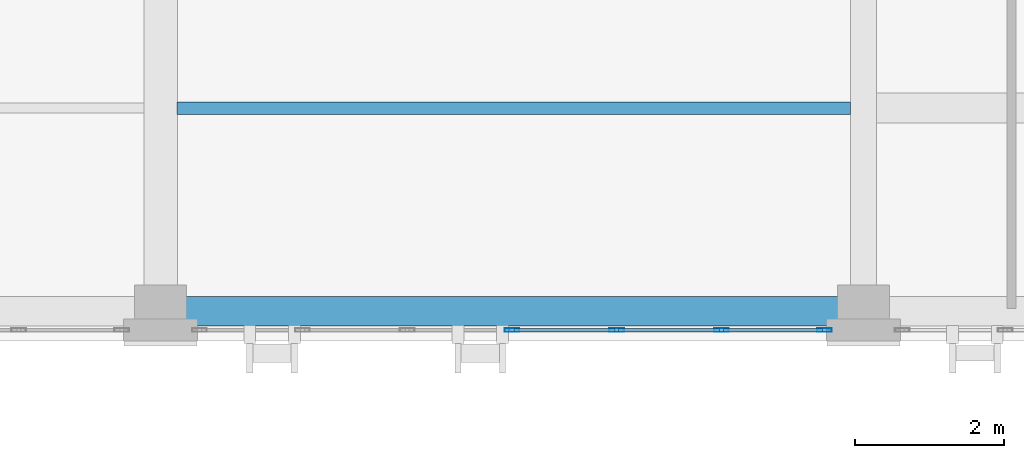
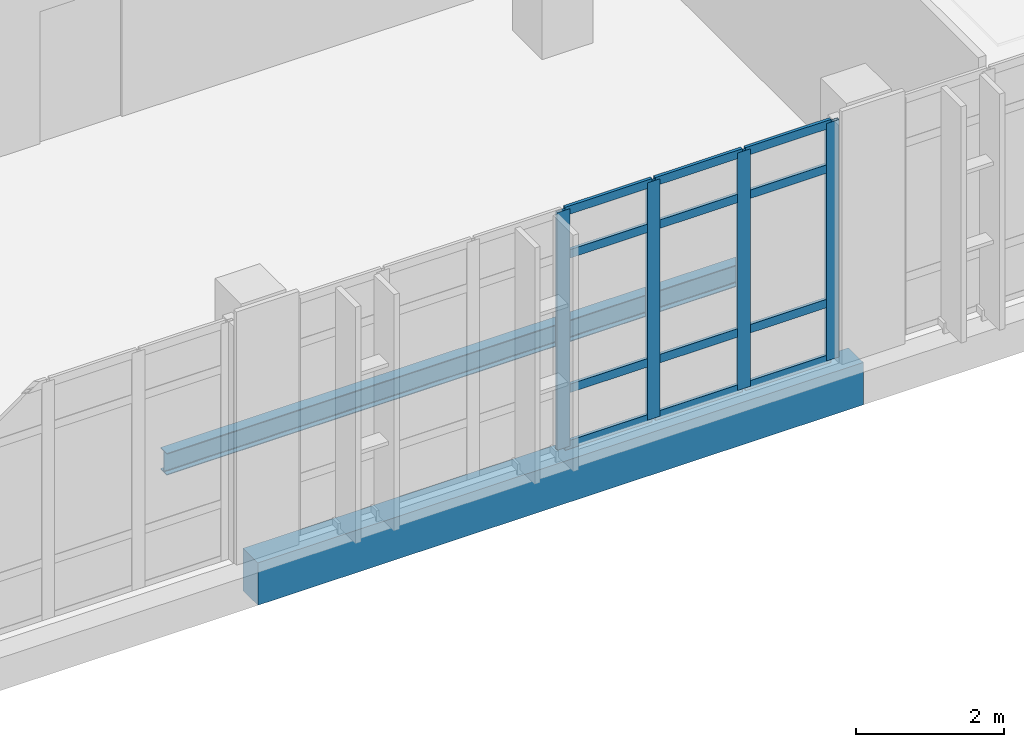
# One storey, part 36 of 165: 16 members, 2 beams, 1 element without a shape of its own.
"""IFC4 building model written with IfcOpenShell, lengths in metres."""

from ifc_helpers import new_model, si_unit, direction, frame, origin, origin_2d, place, context, subcontext, project, spatial, rectangle, hollow_rectangle, i_section, extrude, material, layer, layer_set, material_profile, profile_set, type_object, element, aggregate, save


model = new_model("IFC4")

# Units and contexts
model_context = context("Model", 3, precision=1e-05, world=origin(), true_north=direction((0.0, 1.0)))
body_context = subcontext(model_context, "Body", "Model", "MODEL_VIEW")
ifc_project = project(units=[si_unit("LENGTHUNIT", "METRE"), si_unit("AREAUNIT", "SQUARE_METRE"), si_unit("VOLUMEUNIT", "CUBIC_METRE"), si_unit("PLANEANGLEUNIT", "RADIAN"), si_unit("MASSUNIT", "GRAM", prefix="KILO")], contexts=[model_context])

# Site, building, storey
site_placement = place(None, origin())
site = spatial("IfcSite", under=ifc_project, at=site_placement, CompositionType="ELEMENT")
building_placement = place(site_placement, origin())
building = spatial("IfcBuilding", under=site, at=building_placement, Name="Qalavern Law Courts", CompositionType="ELEMENT")
storey_placement = place(building_placement, frame((0.0, 0.0, 14.39990234375)))
storey = spatial("IfcBuildingStorey", under=building, at=storey_placement, Name="L03", CompositionType="ELEMENT", Elevation=14.39990234375)

# Curtain wall, members
ifc_material_1 = material(Name="Anodised aluminium and insulated glazing", Category="aluminium")
ifc_layer = layer(ifc_material_1, 0.18505859375)
ifc_layer_set = layer_set([ifc_layer], Name="Anodised aluminium and insulated glazing")
curtain_wall_type = type_object("IfcCurtainWallType", Name="ENV-CW-HALL", PredefinedType="USERDEFINED", material=ifc_layer_set)
curtain_wall_placement = place(storey_placement, origin())
curtain_wall = element("IfcCurtainWall", 1, at=curtain_wall_placement, inside=storey, type_object=curtain_wall_type, Name="V2 unitised curtain wall L03 south 4", ObjectType="UNITISED CURTAIN WALL", PredefinedType="USERDEFINED")
ifc_material_2 = material(Name="Anodised aluminium", Category="aluminium")
ifc_material_profile_1 = material_profile(ifc_material_2, hollow_rectangle(XDim=0.048095703125, YDim=0.199951171875, WallThickness=0.00439453125, at=origin_2d()), Name="ALU MULLION 48x200")
ifc_profile_set_1 = profile_set([ifc_material_profile_1], Name="Anodised aluminium")
member_type_1 = type_object("IfcMemberType", Name="ENV-CWM-48x200", PredefinedType="MULLION", material=ifc_profile_set_1)
member_1_placement = place(storey_placement, frame((77.164306640625, 5.347412109375, 0.0), z_axis=(0.0, 0.0, 1.0), x_axis=(0.0, 1.0, 0.0)))
member_1 = element("IfcMember", 2, at=member_1_placement, type_object=member_type_1, Name="CW-02 mullion 4", PredefinedType="MULLION", context=body_context, shape_type="SweptSolid", body=[
    extrude(hollow_rectangle(XDim=0.048095703125, YDim=0.199951171875, WallThickness=0.00439453125, at=origin_2d()), origin(), (0.0, 0.0, 1.0), 3.920166015625),
])
member_2_placement = place(storey_placement, frame((78.5732421875, 5.347412109375, 0.0), z_axis=(0.0, 0.0, 1.0), x_axis=(0.0, 1.0, 0.0)))
member_2 = element("IfcMember", 3, at=member_2_placement, type_object=member_type_1, Name="CW-02 mullion 5", PredefinedType="MULLION", context=body_context, shape_type="SweptSolid", body=[
    extrude(hollow_rectangle(XDim=0.048095703125, YDim=0.199951171875, WallThickness=0.00439453125, at=origin_2d()), origin(), (0.0, 0.0, 1.0), 3.920166015625),
])
member_3_placement = place(storey_placement, frame((79.982421875, 5.347412109375, 0.0), z_axis=(0.0, 0.0, 1.0), x_axis=(0.0, 1.0, 0.0)))
member_3 = element("IfcMember", 4, at=member_3_placement, type_object=member_type_1, Name="CW-02 mullion 6", PredefinedType="MULLION", context=body_context, shape_type="SweptSolid", body=[
    extrude(hollow_rectangle(XDim=0.048095703125, YDim=0.199951171875, WallThickness=0.00439453125, at=origin_2d()), origin(), (0.0, 0.0, 1.0), 3.920166015625),
])
member_4_placement = place(storey_placement, frame((81.367431640625, 5.347412109375, 0.0), z_axis=(0.0, 0.0, 1.0), x_axis=(0.0, 1.0, 0.0)))
member_4 = element("IfcMember", 5, at=member_4_placement, type_object=member_type_1, Name="CW-02 mullion 7", PredefinedType="MULLION", context=body_context, shape_type="SweptSolid", body=[
    extrude(hollow_rectangle(XDim=0.048095703125, YDim=0.199951171875, WallThickness=0.00439453125, at=origin_2d()), origin(), (0.0, 0.0, 1.0), 3.920166015625),
])
ifc_material_profile_2 = material_profile(ifc_material_2, hollow_rectangle(XDim=0.048095703125, YDim=0.139892578125, WallThickness=0.00390625, at=origin_2d()), Name="ALU TRANSOM 48x140")
ifc_profile_set_2 = profile_set([ifc_material_profile_2], Name="Anodised aluminium")
member_type_2 = type_object("IfcMemberType", Name="ENV-CWT-48x140", PredefinedType="USERDEFINED", material=ifc_profile_set_2)
member_5_placement = place(storey_placement, frame((77.188232421875, 5.347412109375, 0.024169921875), z_axis=(1.0, 0.0, 0.0), x_axis=(0.0, 1.0, 0.0)))
member_5 = element("IfcMember", 6, at=member_5_placement, type_object=member_type_2, Name="CW-02 transom 4.1", ObjectType="TRANSOM", PredefinedType="USERDEFINED", context=body_context, shape_type="SweptSolid", body=[
    extrude(hollow_rectangle(XDim=0.048095703125, YDim=0.139892578125, WallThickness=0.00390625, at=origin_2d()), origin(), (0.0, 0.0, 1.0), 1.361083984375),
])
member_6_placement = place(storey_placement, frame((77.188232421875, 5.347412109375, 0.9501953125), z_axis=(1.0, 0.0, 0.0), x_axis=(0.0, 1.0, 0.0)))
member_6 = element("IfcMember", 7, at=member_6_placement, type_object=member_type_2, Name="CW-02 transom 4.2", ObjectType="TRANSOM", PredefinedType="USERDEFINED", context=body_context, shape_type="SweptSolid", body=[
    extrude(hollow_rectangle(XDim=0.048095703125, YDim=0.139892578125, WallThickness=0.00390625, at=origin_2d()), origin(), (0.0, 0.0, 1.0), 1.361083984375),
])
member_7_placement = place(storey_placement, frame((77.188232421875, 5.347412109375, 3.170166015625), z_axis=(1.0, 0.0, 0.0), x_axis=(0.0, 1.0, 0.0)))
member_7 = element("IfcMember", 8, at=member_7_placement, type_object=member_type_2, Name="CW-02 transom 4.3", ObjectType="TRANSOM", PredefinedType="USERDEFINED", context=body_context, shape_type="SweptSolid", body=[
    extrude(hollow_rectangle(XDim=0.048095703125, YDim=0.139892578125, WallThickness=0.00390625, at=origin_2d()), origin(), (0.0, 0.0, 1.0), 1.361083984375),
])
member_8_placement = place(storey_placement, frame((77.188232421875, 5.347412109375, 3.89599609375), z_axis=(1.0, 0.0, 0.0), x_axis=(0.0, 1.0, 0.0)))
member_8 = element("IfcMember", 9, at=member_8_placement, type_object=member_type_2, Name="CW-02 transom 4.4", ObjectType="TRANSOM", PredefinedType="USERDEFINED", context=body_context, shape_type="SweptSolid", body=[
    extrude(hollow_rectangle(XDim=0.048095703125, YDim=0.139892578125, WallThickness=0.00390625, at=origin_2d()), origin(), (0.0, 0.0, 1.0), 1.361083984375),
])
member_9_placement = place(storey_placement, frame((78.597412109375, 5.347412109375, 0.024169921875), z_axis=(1.0, 0.0, 0.0), x_axis=(0.0, 1.0, 0.0)))
member_9 = element("IfcMember", 10, at=member_9_placement, type_object=member_type_2, Name="CW-02 transom 5.1", ObjectType="TRANSOM", PredefinedType="USERDEFINED", context=body_context, shape_type="SweptSolid", body=[
    extrude(hollow_rectangle(XDim=0.048095703125, YDim=0.139892578125, WallThickness=0.00390625, at=origin_2d()), origin(), (0.0, 0.0, 1.0), 1.36083984375),
])
member_10_placement = place(storey_placement, frame((78.597412109375, 5.347412109375, 0.9501953125), z_axis=(1.0, 0.0, 0.0), x_axis=(0.0, 1.0, 0.0)))
member_10 = element("IfcMember", 11, at=member_10_placement, type_object=member_type_2, Name="CW-02 transom 5.2", ObjectType="TRANSOM", PredefinedType="USERDEFINED", context=body_context, shape_type="SweptSolid", body=[
    extrude(hollow_rectangle(XDim=0.048095703125, YDim=0.139892578125, WallThickness=0.00390625, at=origin_2d()), origin(), (0.0, 0.0, 1.0), 1.36083984375),
])
member_11_placement = place(storey_placement, frame((78.597412109375, 5.347412109375, 3.170166015625), z_axis=(1.0, 0.0, 0.0), x_axis=(0.0, 1.0, 0.0)))
member_11 = element("IfcMember", 12, at=member_11_placement, type_object=member_type_2, Name="CW-02 transom 5.3", ObjectType="TRANSOM", PredefinedType="USERDEFINED", context=body_context, shape_type="SweptSolid", body=[
    extrude(hollow_rectangle(XDim=0.048095703125, YDim=0.139892578125, WallThickness=0.00390625, at=origin_2d()), origin(), (0.0, 0.0, 1.0), 1.36083984375),
])
member_12_placement = place(storey_placement, frame((78.597412109375, 5.347412109375, 3.89599609375), z_axis=(1.0, 0.0, 0.0), x_axis=(0.0, 1.0, 0.0)))
member_12 = element("IfcMember", 13, at=member_12_placement, type_object=member_type_2, Name="CW-02 transom 5.4", ObjectType="TRANSOM", PredefinedType="USERDEFINED", context=body_context, shape_type="SweptSolid", body=[
    extrude(hollow_rectangle(XDim=0.048095703125, YDim=0.139892578125, WallThickness=0.00390625, at=origin_2d()), origin(), (0.0, 0.0, 1.0), 1.36083984375),
])
member_13_placement = place(storey_placement, frame((80.00634765625, 5.347412109375, 0.024169921875), z_axis=(1.0, 0.0, 0.0), x_axis=(0.0, 1.0, 0.0)))
member_13 = element("IfcMember", 14, at=member_13_placement, type_object=member_type_2, Name="CW-02 transom 6.1", ObjectType="TRANSOM", PredefinedType="USERDEFINED", context=body_context, shape_type="SweptSolid", body=[
    extrude(hollow_rectangle(XDim=0.048095703125, YDim=0.139892578125, WallThickness=0.00390625, at=origin_2d()), origin(), (0.0, 0.0, 1.0), 1.337158203125),
])
member_14_placement = place(storey_placement, frame((80.00634765625, 5.347412109375, 0.9501953125), z_axis=(1.0, 0.0, 0.0), x_axis=(0.0, 1.0, 0.0)))
member_14 = element("IfcMember", 15, at=member_14_placement, type_object=member_type_2, Name="CW-02 transom 6.2", ObjectType="TRANSOM", PredefinedType="USERDEFINED", context=body_context, shape_type="SweptSolid", body=[
    extrude(hollow_rectangle(XDim=0.048095703125, YDim=0.139892578125, WallThickness=0.00390625, at=origin_2d()), origin(), (0.0, 0.0, 1.0), 1.337158203125),
])
member_15_placement = place(storey_placement, frame((80.00634765625, 5.347412109375, 3.170166015625), z_axis=(1.0, 0.0, 0.0), x_axis=(0.0, 1.0, 0.0)))
member_15 = element("IfcMember", 16, at=member_15_placement, type_object=member_type_2, Name="CW-02 transom 6.3", ObjectType="TRANSOM", PredefinedType="USERDEFINED", context=body_context, shape_type="SweptSolid", body=[
    extrude(hollow_rectangle(XDim=0.048095703125, YDim=0.139892578125, WallThickness=0.00390625, at=origin_2d()), origin(), (0.0, 0.0, 1.0), 1.337158203125),
])
member_16_placement = place(storey_placement, frame((80.00634765625, 5.347412109375, 3.89599609375), z_axis=(1.0, 0.0, 0.0), x_axis=(0.0, 1.0, 0.0)))
member_16 = element("IfcMember", 17, at=member_16_placement, type_object=member_type_2, Name="CW-02 transom 6.4", ObjectType="TRANSOM", PredefinedType="USERDEFINED", context=body_context, shape_type="SweptSolid", body=[
    extrude(hollow_rectangle(XDim=0.048095703125, YDim=0.139892578125, WallThickness=0.00390625, at=origin_2d()), origin(), (0.0, 0.0, 1.0), 1.337158203125),
])
aggregate(curtain_wall, [member_1, member_2, member_3, member_4, member_5, member_6, member_7, member_8, member_9, member_10, member_11, member_12, member_13, member_14, member_15, member_16])

# Beams
ifc_material_3 = material(Name="Steel S355", Category="steel")
ifc_material_profile_3 = material_profile(ifc_material_3, i_section(OverallWidth=0.169921875, OverallDepth=0.360107421875, WebThickness=0.008056640625, FlangeThickness=0.0126953125, FilletRadius=0.01806640625, at=origin_2d()), Name="IPE 360")
ifc_profile_set_3 = profile_set([ifc_material_profile_3], Name="Steel S355")
beam_type_1 = type_object("IfcBeamType", Name="STR-JST-IPE360", PredefinedType="JOIST", material=ifc_profile_set_3)
beam_1_placement = place(storey_placement, frame((72.66015625, 8.333251953125, -0.46484375), z_axis=(1.0, 0.0, 0.0), x_axis=(0.0, 1.0, 0.0)))
element("IfcBeam", 18, at=beam_1_placement, inside=storey, type_object=beam_type_1, Name="V2 secondary joist 5.1.1 L03", PredefinedType="JOIST", context=body_context, shape_type="SweptSolid", body=[
    extrude(i_section(OverallWidth=0.169921875, OverallDepth=0.360107421875, WebThickness=0.008056640625, FlangeThickness=0.0126953125, FilletRadius=0.01806640625, at=origin_2d()), origin(), (0.0, 0.0, 1.0), 9.058349609375),
])
ifc_material_4 = material(Name="Concrete C40/50", Category="concrete")
ifc_material_profile_4 = material_profile(ifc_material_4, rectangle(XDim=0.39990234375, YDim=0.699951171875, at=origin_2d()), Name="RC 400x700")
ifc_profile_set_4 = profile_set([ifc_material_profile_4], Name="Concrete C40/50")
beam_type_2 = type_object("IfcBeamType", Name="STR-SP-RC400x700", PredefinedType="SPANDREL", material=ifc_profile_set_4)
beam_2_placement = place(storey_placement, frame((72.43701171875, 5.60009765625, -0.635009765625), z_axis=(1.0, 0.0, 0.0), x_axis=(0.0, 1.0, 0.0)))
element("IfcBeam", 19, at=beam_2_placement, inside=storey, type_object=beam_type_2, Name="V2 X-beam 1-5 L03", PredefinedType="SPANDREL", context=body_context, shape_type="SweptSolid", body=[
    extrude(rectangle(XDim=0.39990234375, YDim=0.699951171875, at=origin_2d()), origin(), (0.0, 0.0, 1.0), 9.454345703125),
])

save(model, "model.ifc")
